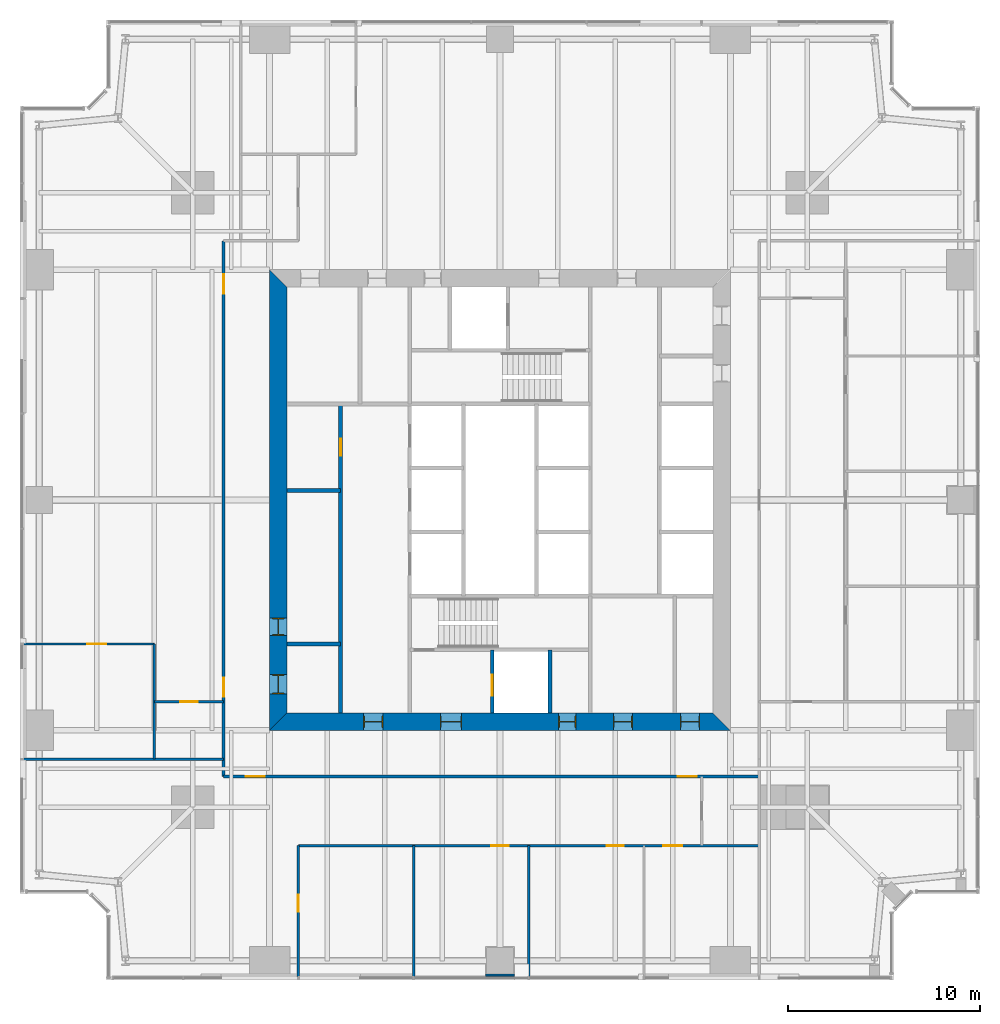
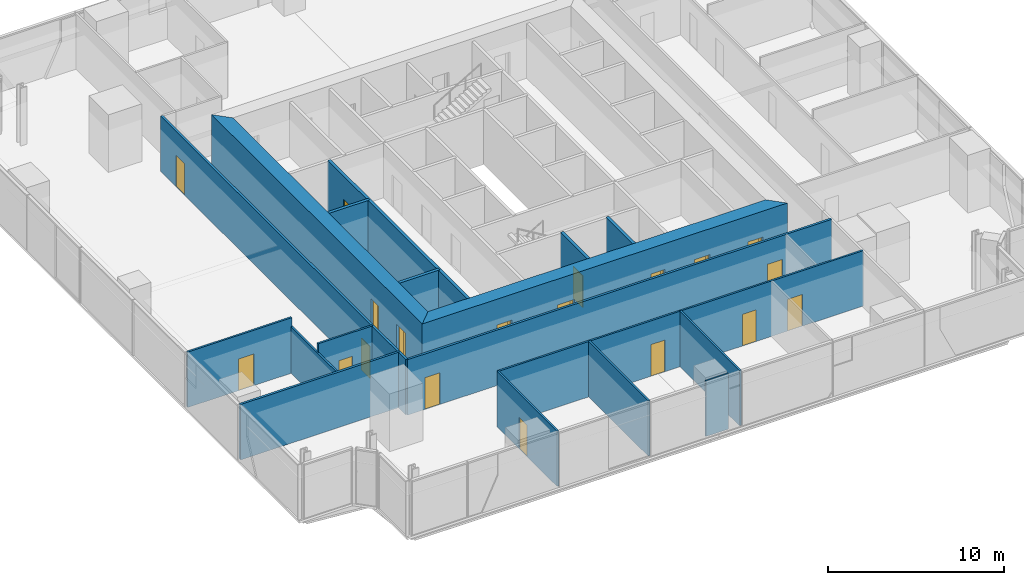
# One storey, part 9 of 13: 19 doors, 18 walls, 19 openings.
"""IFC4 building model written with IfcOpenShell, lengths in metres."""

from ifc_helpers import new_model, si_unit, direction, frame, frame_2d, origin, place, context, subcontext, project, spatial, polyline, rectangle, outline, extrude, material, layer, layer_set, type_object, element, fill, save


model = new_model("IFC4")

# Units and contexts
model_context = context("Model", 3, precision=1e-05, world=origin(), true_north=direction((0.0, 1.0)))
body_context = subcontext(model_context, "Body", "Model", "MODEL_VIEW")
ifc_project = project(units=[si_unit("LENGTHUNIT", "METRE"), si_unit("AREAUNIT", "SQUARE_METRE"), si_unit("VOLUMEUNIT", "CUBIC_METRE"), si_unit("PLANEANGLEUNIT", "RADIAN"), si_unit("MASSUNIT", "GRAM", prefix="KILO")], contexts=[model_context])

# Site, building, storey
site_placement = place(None, origin())
site = spatial("IfcSite", under=ifc_project, at=site_placement, CompositionType="ELEMENT")
building_placement = place(site_placement, origin())
building = spatial("IfcBuilding", under=site, at=building_placement, Name="Fenwick Lantern Interchange", CompositionType="ELEMENT")
storey_placement = place(building_placement, frame((0.0, 0.0, 126.39990234375)))
storey = spatial("IfcBuildingStorey", under=building, at=storey_placement, Name="L29", CompositionType="ELEMENT", Elevation=126.39990234375)

# Wall
ifc_material_1 = material(Name="Fire-rated gypsum board encasement on steel studs, 2 hour", Category="steel")
ifc_layer_1 = layer(ifc_material_1, 1.5)
ifc_layer_set_1 = layer_set([ifc_layer_1], Name="COLUMN PIER 1500")
wall_type_1 = type_object("IfcWallType", Name="COLUMN PIER 1500", PredefinedType="PARTITIONING", material=ifc_layer_set_1)
wall_1_placement = place(storey_placement, frame((25.0, 0.199951171875, 0.0), z_axis=(0.0, 0.0, 1.0), x_axis=(0.0, 1.0, 0.0)))
element("IfcWall", 1, at=wall_1_placement, inside=storey, type_object=wall_type_1, Name="L29/W/PIER/CS3", PredefinedType="PARTITIONING", context=body_context, shape_type="SweptSolid", body=[
    extrude(rectangle(XDim=0.10009765625, YDim=1.5, at=frame_2d((0.050048828125, 0.0))), origin(), (0.0, 0.0, 1.0), 3.85009765625),
])

# Wall, opening, door
ifc_material_2 = material(Name="Concrete masonry ASTM C90 Grade N", Category="masonry")
ifc_layer_2 = layer(ifc_material_2, 0.199951171875)
ifc_layer_set_2 = layer_set([ifc_layer_2], Name="Concrete masonry ASTM C90 Grade N")
wall_type_2 = type_object("IfcWallType", Name="CORE PARTITION 200", PredefinedType="PARTITIONING", material=ifc_layer_set_2)
wall_2_placement = place(storey_placement, frame((16.699951171875, 13.89990234375, 0.0), z_axis=(0.0, 0.0, 1.0), x_axis=(0.0, 1.0, 0.0)))
wall_2 = element("IfcWall", 2, at=wall_2_placement, inside=storey, type_object=wall_type_2, Name="L29/W/CORES/a", PredefinedType="PARTITIONING", context=body_context, shape_type="SweptSolid", body=[
    extrude(rectangle(XDim=16.10009765625, YDim=0.199951171875, at=frame_2d((8.050048828125, 0.0))), origin(), (0.0, 0.0, 1.0), 3.800048828125),
])
opening_1_placement = place(wall_2_placement, frame((13.39990234375, 0.0, 0.0)))
opening_1 = element("IfcOpeningElement", 3, at=opening_1_placement, cuts=wall_2, Name="Opening L29-D009", PredefinedType="OPENING", context=body_context, shape_type="SweptSolid", body=[
    extrude(rectangle(XDim=0.89990234375, YDim=2.199951171875, at=frame_2d((0.449951171875, 1.10009765625))), frame((0.0, 0.10986328125, 0.0), z_axis=(0.0, -1.0, 0.0), x_axis=(1.0, 0.0, 0.0)), (0.0, 0.0, 1.0), 0.219970703125),
])
ifc_material_3 = material(Name="Steel door and frame", Category="steel")
door_type_1 = type_object("IfcDoorType", Name="SERVICE DOOR 900 X 2200", OperationType="SINGLE_SWING_LEFT", PredefinedType="DOOR", material=ifc_material_3)
door_1_placement = place(opening_1_placement, origin())
door_1 = element("IfcDoor", 4, at=door_1_placement, inside=storey, type_object=door_type_1, Name="Service door", OperationType="SINGLE_SWING_LEFT", OverallHeight=2.199951171875, OverallWidth=0.89990234375, PredefinedType="DOOR", context=body_context, shape_type="SweptSolid", body=[
    extrude(rectangle(XDim=0.89990234375, YDim=2.199951171875, at=frame_2d((0.449951171875, 1.10009765625))), frame((0.0, 0.02490234375, 0.0), z_axis=(0.0, -1.0, 0.0), x_axis=(1.0, 0.0, 0.0)), (0.0, 0.0, 1.0), 0.050048828125),
])
fill(opening_1, door_1)

wall_3_placement = place(storey_placement, frame((24.60009765625, 13.89990234375, 0.0), z_axis=(0.0, 0.0, 1.0), x_axis=(0.0, 1.0, 0.0)))
wall_3 = element("IfcWall", 5, at=wall_3_placement, inside=storey, type_object=wall_type_2, Name="L29/W/CORES/h1", PredefinedType="PARTITIONING", context=body_context, shape_type="SweptSolid", body=[
    extrude(rectangle(XDim=3.300048828125, YDim=0.199951171875, at=frame_2d((1.64990234375, 0.0))), origin(), (0.0, 0.0, 1.0), 3.800048828125),
])
opening_2_placement = place(wall_3_placement, frame((0.89990234375, 0.0, 0.0)))
opening_2 = element("IfcOpeningElement", 6, at=opening_2_placement, cuts=wall_3, Name="Opening LD-FL1", PredefinedType="OPENING", context=body_context, shape_type="SweptSolid", body=[
    extrude(rectangle(XDim=1.10009765625, YDim=2.199951171875, at=frame_2d((0.550048828125, 1.10009765625))), frame((0.0, 0.10986328125, 0.0), z_axis=(0.0, -1.0, 0.0), x_axis=(1.0, 0.0, 0.0)), (0.0, 0.0, 1.0), 0.219970703125),
])
door_type_2 = type_object("IfcDoorType", Name="LIFT LANDING DOOR 1100 X 2200", OperationType="DOUBLE_DOOR_SLIDING", PredefinedType="DOOR", material=ifc_material_3)
door_2_placement = place(opening_2_placement, origin())
door_2 = element("IfcDoor", 7, at=door_2_placement, inside=storey, type_object=door_type_2, Name="Lift landing door FL1", OperationType="DOUBLE_DOOR_SLIDING", OverallHeight=2.199951171875, OverallWidth=1.10009765625, PredefinedType="DOOR", context=body_context, shape_type="SweptSolid", body=[
    extrude(rectangle(XDim=1.10009765625, YDim=2.199951171875, at=frame_2d((0.550048828125, 1.10009765625))), frame((0.0, 0.02490234375, 0.0), z_axis=(0.0, -1.0, 0.0), x_axis=(1.0, 0.0, 0.0)), (0.0, 0.0, 1.0), 0.050048828125),
])
fill(opening_2, door_2)

# Walls
wall_4_placement = place(storey_placement, frame((27.60009765625, 13.89990234375, 0.0), z_axis=(0.0, 0.0, 1.0), x_axis=(0.0, 1.0, 0.0)))
element("IfcWall", 8, at=wall_4_placement, inside=storey, type_object=wall_type_2, Name="L29/W/CORES/h2", PredefinedType="PARTITIONING", context=body_context, shape_type="SweptSolid", body=[
    extrude(rectangle(XDim=3.300048828125, YDim=0.199951171875, at=frame_2d((1.64990234375, 0.0))), origin(), (0.0, 0.0, 1.0), 3.800048828125),
])
for number, where, z_axis, x_axis, name in (
    (9, (13.89990234375, 17.5, 0.0), (0.0, 0.0, 1.0), (1.0, 0.0, 0.0), "L29/W/CORES/p1"),
    (10, (13.89990234375, 25.5, 0.0), (0.0, 0.0, 1.0), (1.0, 0.0, 0.0), "L29/W/CORES/p2"),
):
    element("IfcWall", number, at=place(storey_placement, frame(where, z_axis=z_axis, x_axis=x_axis)), inside=storey, type_object=wall_type_2, Name=name, PredefinedType="PARTITIONING", context=body_context, shape_type="SweptSolid", body=[
        extrude(rectangle(XDim=2.800048828125, YDim=0.199951171875, at=frame_2d((1.39990234375, 0.0))), origin(), (0.0, 0.0, 1.0), 3.800048828125),
    ])

# Wall, openings, doors
ifc_material_4 = material(Name="Concrete f'c 70 MPa", Category="concrete")
ifc_layer_3 = layer(ifc_material_4, 0.89990234375)
ifc_layer_set_3 = layer_set([ifc_layer_3], Name="CORE WALL 900")
wall_type_3 = type_object("IfcWallType", Name="CORE WALL 900", PredefinedType="SHEAR", material=ifc_layer_set_3)
wall_5_placement = place(storey_placement, frame((13.0, 13.449951171875, 0.0), z_axis=(0.0, 0.0, 1.0), x_axis=(1.0, 0.0, 0.0)))
wall_5 = element("IfcWall", 11, at=wall_5_placement, inside=storey, type_object=wall_type_3, Name="L29/CORE/S", PredefinedType="SHEAR", context=body_context, shape_type="SweptSolid", body=[
    extrude(outline(polyline([(0.0, -0.449951171875), (24.0, -0.449951171875), (23.10009765625, 0.449951171875), (0.89990234375, 0.449951171875), (0.0, -0.449951171875)])), origin(), (0.0, 0.0, 1.0), 4.0),
])
opening_3_placement = place(wall_5_placement, frame((4.89990234375, 0.0, 0.0)))
opening_3 = element("IfcOpeningElement", 12, at=opening_3_placement, cuts=wall_5, Name="Opening L29-D001", PredefinedType="OPENING", context=body_context, shape_type="SweptSolid", body=[
    extrude(rectangle(XDim=1.0, YDim=2.199951171875, at=frame_2d((0.5, 1.10009765625))), frame((0.0, 0.4599609375, 0.0), z_axis=(0.0, -1.0, 0.0), x_axis=(1.0, 0.0, 0.0)), (0.0, 0.0, 1.0), 0.919921875),
])
opening_4_placement = place(wall_5_placement, frame((8.89990234375, 0.0, 0.0)))
opening_4 = element("IfcOpeningElement", 13, at=opening_4_placement, cuts=wall_5, Name="Opening L29-D002", PredefinedType="OPENING", context=body_context, shape_type="SweptSolid", body=[
    extrude(rectangle(XDim=1.10009765625, YDim=2.199951171875, at=frame_2d((0.550048828125, 1.10009765625))), frame((0.0, 0.4599609375, 0.0), z_axis=(0.0, -1.0, 0.0), x_axis=(1.0, 0.0, 0.0)), (0.0, 0.0, 1.0), 0.919921875),
])
opening_5_placement = place(wall_5_placement, frame((15.050048828125, 0.0, 0.0)))
opening_5 = element("IfcOpeningElement", 14, at=opening_5_placement, cuts=wall_5, Name="Opening L29-D004", PredefinedType="OPENING", context=body_context, shape_type="SweptSolid", body=[
    extrude(rectangle(XDim=0.89990234375, YDim=2.199951171875, at=frame_2d((0.449951171875, 1.10009765625))), frame((0.0, 0.4599609375, 0.0), z_axis=(0.0, -1.0, 0.0), x_axis=(1.0, 0.0, 0.0)), (0.0, 0.0, 1.0), 0.919921875),
])
opening_6_placement = place(wall_5_placement, frame((17.89990234375, 0.0, 0.0)))
opening_6 = element("IfcOpeningElement", 15, at=opening_6_placement, cuts=wall_5, Name="Opening L29-D005", PredefinedType="OPENING", context=body_context, shape_type="SweptSolid", body=[
    extrude(rectangle(XDim=1.0, YDim=2.199951171875, at=frame_2d((0.5, 1.10009765625))), frame((0.0, 0.4599609375, 0.0), z_axis=(0.0, -1.0, 0.0), x_axis=(1.0, 0.0, 0.0)), (0.0, 0.0, 1.0), 0.919921875),
])
opening_7_placement = place(wall_5_placement, frame((21.39990234375, 0.0, 0.0)))
opening_7 = element("IfcOpeningElement", 16, at=opening_7_placement, cuts=wall_5, Name="Opening L29-D006", PredefinedType="OPENING", context=body_context, shape_type="SweptSolid", body=[
    extrude(rectangle(XDim=1.0, YDim=2.199951171875, at=frame_2d((0.5, 1.10009765625))), frame((0.0, 0.4599609375, 0.0), z_axis=(0.0, -1.0, 0.0), x_axis=(1.0, 0.0, 0.0)), (0.0, 0.0, 1.0), 0.919921875),
])
door_type_3 = type_object("IfcDoorType", Name="CORE LOBBY DOOR 1000 X 2200", OperationType="SINGLE_SWING_LEFT", PredefinedType="DOOR", material=ifc_material_3)
door_3_placement = place(opening_3_placement, origin())
door_3 = element("IfcDoor", 17, at=door_3_placement, inside=storey, type_object=door_type_3, Name="Core lobby door", OperationType="SINGLE_SWING_LEFT", OverallHeight=2.199951171875, OverallWidth=1.0, PredefinedType="DOOR", context=body_context, shape_type="SweptSolid", body=[
    extrude(rectangle(XDim=1.0, YDim=2.199951171875, at=frame_2d((0.5, 1.10009765625))), frame((0.0, 0.02490234375, 0.0), z_axis=(0.0, -1.0, 0.0), x_axis=(1.0, 0.0, 0.0)), (0.0, 0.0, 1.0), 0.050048828125),
    extrude(outline(polyline([(0.0, 0.0), (0.0400390625, 0.0), (0.0400390625, 2.159912109375), (0.9599609375, 2.159912109375), (0.9599609375, 0.0), (1.0, 0.0), (1.0, 2.199951171875), (0.0, 2.199951171875), (0.0, 0.0)])), frame((0.0, 0.300048828125, 0.0), z_axis=(0.0, -1.0, 0.0), x_axis=(1.0, 0.0, 0.0)), (0.0, 0.0, 1.0), 0.60009765625),
])
fill(opening_3, door_3)
door_type_4 = type_object("IfcDoorType", Name="FIRE LOBBY DOOR 1100 X 2200", OperationType="SINGLE_SWING_LEFT", PredefinedType="DOOR", material=ifc_material_3)
door_4_placement = place(opening_4_placement, origin())
door_4 = element("IfcDoor", 18, at=door_4_placement, inside=storey, type_object=door_type_4, Name="Fire lobby door", OperationType="SINGLE_SWING_LEFT", OverallHeight=2.199951171875, OverallWidth=1.10009765625, PredefinedType="DOOR", context=body_context, shape_type="SweptSolid", body=[
    extrude(rectangle(XDim=1.10009765625, YDim=2.199951171875, at=frame_2d((0.550048828125, 1.10009765625))), frame((0.0, 0.02490234375, 0.0), z_axis=(0.0, -1.0, 0.0), x_axis=(1.0, 0.0, 0.0)), (0.0, 0.0, 1.0), 0.050048828125),
    extrude(outline(polyline([(0.0, 0.0), (0.0400390625, 0.0), (0.0400390625, 2.159912109375), (1.06005859375, 2.159912109375), (1.06005859375, 0.0), (1.10009765625, 0.0), (1.10009765625, 2.199951171875), (0.0, 2.199951171875), (0.0, 0.0)])), frame((0.0, 0.300048828125, 0.0), z_axis=(0.0, -1.0, 0.0), x_axis=(1.0, 0.0, 0.0)), (0.0, 0.0, 1.0), 0.60009765625),
])
fill(opening_4, door_4)
door_5_placement = place(opening_5_placement, origin())
door_5 = element("IfcDoor", 19, at=door_5_placement, inside=storey, type_object=door_type_1, Name="Service door", OperationType="SINGLE_SWING_LEFT", OverallHeight=2.199951171875, OverallWidth=0.89990234375, PredefinedType="DOOR", context=body_context, shape_type="SweptSolid", body=[
    extrude(rectangle(XDim=0.89990234375, YDim=2.199951171875, at=frame_2d((0.449951171875, 1.10009765625))), frame((0.0, 0.02490234375, 0.0), z_axis=(0.0, -1.0, 0.0), x_axis=(1.0, 0.0, 0.0)), (0.0, 0.0, 1.0), 0.050048828125),
    extrude(outline(polyline([(0.0, 0.0), (0.0400390625, 0.0), (0.0400390625, 2.159912109375), (0.85986328125, 2.159912109375), (0.85986328125, 0.0), (0.89990234375, 0.0), (0.89990234375, 2.199951171875), (0.0, 2.199951171875), (0.0, 0.0)])), frame((0.0, 0.300048828125, 0.0), z_axis=(0.0, -1.0, 0.0), x_axis=(1.0, 0.0, 0.0)), (0.0, 0.0, 1.0), 0.60009765625),
])
fill(opening_5, door_5)
ifc_material_5 = material(Name="Hardwood door and steel frame", Category="steel")
door_type_5 = type_object("IfcDoorType", Name="WC DOOR 1000 X 2200", OperationType="SINGLE_SWING_LEFT", PredefinedType="DOOR", material=ifc_material_5)
door_6_placement = place(opening_6_placement, origin())
door_6 = element("IfcDoor", 20, at=door_6_placement, inside=storey, type_object=door_type_5, Name="Wc door", OperationType="SINGLE_SWING_LEFT", OverallHeight=2.199951171875, OverallWidth=1.0, PredefinedType="DOOR", context=body_context, shape_type="SweptSolid", body=[
    extrude(rectangle(XDim=1.0, YDim=2.199951171875, at=frame_2d((0.5, 1.10009765625))), frame((0.0, 0.02490234375, 0.0), z_axis=(0.0, -1.0, 0.0), x_axis=(1.0, 0.0, 0.0)), (0.0, 0.0, 1.0), 0.050048828125),
    extrude(outline(polyline([(0.0, 0.0), (0.0400390625, 0.0), (0.0400390625, 2.159912109375), (0.9599609375, 2.159912109375), (0.9599609375, 0.0), (1.0, 0.0), (1.0, 2.199951171875), (0.0, 2.199951171875), (0.0, 0.0)])), frame((0.0, 0.300048828125, 0.0), z_axis=(0.0, -1.0, 0.0), x_axis=(1.0, 0.0, 0.0)), (0.0, 0.0, 1.0), 0.60009765625),
])
fill(opening_6, door_6)
door_7_placement = place(opening_7_placement, origin())
door_7 = element("IfcDoor", 21, at=door_7_placement, inside=storey, type_object=door_type_5, Name="Wc door", OperationType="SINGLE_SWING_LEFT", OverallHeight=2.199951171875, OverallWidth=1.0, PredefinedType="DOOR", context=body_context, shape_type="SweptSolid", body=[
    extrude(rectangle(XDim=1.0, YDim=2.199951171875, at=frame_2d((0.5, 1.10009765625))), frame((0.0, 0.02490234375, 0.0), z_axis=(0.0, -1.0, 0.0), x_axis=(1.0, 0.0, 0.0)), (0.0, 0.0, 1.0), 0.050048828125),
    extrude(outline(polyline([(0.0, 0.0), (0.0400390625, 0.0), (0.0400390625, 2.159912109375), (0.9599609375, 2.159912109375), (0.9599609375, 0.0), (1.0, 0.0), (1.0, 2.199951171875), (0.0, 2.199951171875), (0.0, 0.0)])), frame((0.0, 0.300048828125, 0.0), z_axis=(0.0, -1.0, 0.0), x_axis=(1.0, 0.0, 0.0)), (0.0, 0.0, 1.0), 0.60009765625),
])
fill(opening_7, door_7)

wall_6_placement = place(storey_placement, frame((13.449951171875, 36.10009765625, 0.0), z_axis=(0.0, 0.0, 1.0), x_axis=(0.0, -1.0, 0.0)))
wall_6 = element("IfcWall", 22, at=wall_6_placement, inside=storey, type_object=wall_type_3, Name="L29/CORE/W", PredefinedType="SHEAR", context=body_context, shape_type="SweptSolid", body=[
    extrude(outline(polyline([(-0.89990234375, -0.449951171875), (23.10009765625, -0.449951171875), (22.199951171875, 0.449951171875), (0.0, 0.449951171875), (-0.89990234375, -0.449951171875)])), origin(), (0.0, 0.0, 1.0), 4.0),
])
opening_8_placement = place(wall_6_placement, frame((20.199951171875, 0.0, 0.0)))
opening_8 = element("IfcOpeningElement", 23, at=opening_8_placement, cuts=wall_6, Name="Opening L29-D007", PredefinedType="OPENING", context=body_context, shape_type="SweptSolid", body=[
    extrude(rectangle(XDim=1.0, YDim=2.199951171875, at=frame_2d((0.5, 1.10009765625))), frame((0.0, 0.4599609375, 0.0), z_axis=(0.0, -1.0, 0.0), x_axis=(1.0, 0.0, 0.0)), (0.0, 0.0, 1.0), 0.919921875),
])
opening_9_placement = place(wall_6_placement, frame((17.25, 0.0, 0.0)))
opening_9 = element("IfcOpeningElement", 24, at=opening_9_placement, cuts=wall_6, Name="Opening L29-D008", PredefinedType="OPENING", context=body_context, shape_type="SweptSolid", body=[
    extrude(rectangle(XDim=0.89990234375, YDim=2.199951171875, at=frame_2d((0.449951171875, 1.10009765625))), frame((0.0, 0.4599609375, 0.0), z_axis=(0.0, -1.0, 0.0), x_axis=(1.0, 0.0, 0.0)), (0.0, 0.0, 1.0), 0.919921875),
])
door_8_placement = place(opening_9_placement, origin())
door_8 = element("IfcDoor", 25, at=door_8_placement, inside=storey, type_object=door_type_1, Name="Service door", OperationType="SINGLE_SWING_RIGHT", OverallHeight=2.199951171875, OverallWidth=0.89990234375, PredefinedType="DOOR", context=body_context, shape_type="SweptSolid", body=[
    extrude(rectangle(XDim=0.89990234375, YDim=2.199951171875, at=frame_2d((0.449951171875, 1.10009765625))), frame((0.0, 0.02490234375, 0.0), z_axis=(0.0, -1.0, 0.0), x_axis=(1.0, 0.0, 0.0)), (0.0, 0.0, 1.0), 0.050048828125),
    extrude(outline(polyline([(0.0, 0.0), (0.0400390625, 0.0), (0.0400390625, 2.159912109375), (0.85986328125, 2.159912109375), (0.85986328125, 0.0), (0.89990234375, 0.0), (0.89990234375, 2.199951171875), (0.0, 2.199951171875), (0.0, 0.0)])), frame((0.0, 0.300048828125, 0.0), z_axis=(0.0, -1.0, 0.0), x_axis=(1.0, 0.0, 0.0)), (0.0, 0.0, 1.0), 0.60009765625),
])
fill(opening_9, door_8)
door_9_placement = place(opening_8_placement, origin())
door_9 = element("IfcDoor", 26, at=door_9_placement, inside=storey, type_object=door_type_5, Name="Wc door", OperationType="SINGLE_SWING_RIGHT", OverallHeight=2.199951171875, OverallWidth=1.0, PredefinedType="DOOR", context=body_context, shape_type="SweptSolid", body=[
    extrude(rectangle(XDim=1.0, YDim=2.199951171875, at=frame_2d((0.5, 1.10009765625))), frame((0.0, 0.02490234375, 0.0), z_axis=(0.0, -1.0, 0.0), x_axis=(1.0, 0.0, 0.0)), (0.0, 0.0, 1.0), 0.050048828125),
    extrude(outline(polyline([(0.0, 0.0), (0.0400390625, 0.0), (0.0400390625, 2.159912109375), (0.9599609375, 2.159912109375), (0.9599609375, 0.0), (1.0, 0.0), (1.0, 2.199951171875), (0.0, 2.199951171875), (0.0, 0.0)])), frame((0.0, 0.300048828125, 0.0), z_axis=(0.0, -1.0, 0.0), x_axis=(1.0, 0.0, 0.0)), (0.0, 0.0, 1.0), 0.60009765625),
])
fill(opening_8, door_9)

ifc_material_6 = material(Name="Gypsum board on steel studs, 1 hour", Category="steel")
ifc_layer_4 = layer(ifc_material_6, 0.14990234375)
ifc_layer_set_4 = layer_set([ifc_layer_4], Name="CORRIDOR WALL 150")
wall_type_4 = type_object("IfcWallType", Name="CORRIDOR WALL 150", PredefinedType="PARTITIONING", material=ifc_layer_set_4)
wall_7_placement = place(storey_placement, frame((10.60009765625, 10.60009765625, 0.0), z_axis=(0.0, 0.0, 1.0), x_axis=(1.0, 0.0, 0.0)))
wall_7 = element("IfcWall", 27, at=wall_7_placement, inside=storey, type_object=wall_type_4, Name="L29/W/OFF/S/CW2", PredefinedType="PARTITIONING", context=body_context, shape_type="SweptSolid", body=[
    extrude(rectangle(XDim=27.89990234375, YDim=0.14990234375, at=frame_2d((13.949951171875, 0.0))), origin(), (0.0, 0.0, 1.0), 3.85009765625),
])
opening_10_placement = place(wall_7_placement, frame((1.14990234375, 0.0, 0.0)))
opening_10 = element("IfcOpeningElement", 28, at=opening_10_placement, cuts=wall_7, Name="Opening L29-D018", PredefinedType="OPENING", context=body_context, shape_type="SweptSolid", body=[
    extrude(rectangle(XDim=1.0, YDim=2.199951171875, at=frame_2d((0.5, 1.10009765625))), frame((0.0, 0.0849609375, 0.0), z_axis=(0.0, -1.0, 0.0), x_axis=(1.0, 0.0, 0.0)), (0.0, 0.0, 1.0), 0.169921875),
])
opening_11_placement = place(wall_7_placement, frame((23.64990234375, 0.0, 0.0)))
opening_11 = element("IfcOpeningElement", 29, at=opening_11_placement, cuts=wall_7, Name="Opening L29-D019", PredefinedType="OPENING", context=body_context, shape_type="SweptSolid", body=[
    extrude(rectangle(XDim=1.0, YDim=2.199951171875, at=frame_2d((0.5, 1.10009765625))), frame((0.0, 0.0849609375, 0.0), z_axis=(0.0, -1.0, 0.0), x_axis=(1.0, 0.0, 0.0)), (0.0, 0.0, 1.0), 0.169921875),
])
door_type_6 = type_object("IfcDoorType", Name="SUITE ENTRANCE DOOR 1000 X 2200", OperationType="SINGLE_SWING_LEFT", PredefinedType="DOOR", material=ifc_material_3)
door_10_placement = place(opening_10_placement, origin())
door_10 = element("IfcDoor", 30, at=door_10_placement, inside=storey, type_object=door_type_6, Name="Suite entrance door", OperationType="SINGLE_SWING_LEFT", OverallHeight=2.199951171875, OverallWidth=1.0, PredefinedType="DOOR", context=body_context, shape_type="SweptSolid", body=[
    extrude(rectangle(XDim=1.0, YDim=2.199951171875, at=frame_2d((0.5, 1.10009765625))), frame((0.0, 0.02490234375, 0.0), z_axis=(0.0, -1.0, 0.0), x_axis=(1.0, 0.0, 0.0)), (0.0, 0.0, 1.0), 0.050048828125),
])
fill(opening_10, door_10)
door_11_placement = place(opening_11_placement, origin())
door_11 = element("IfcDoor", 31, at=door_11_placement, inside=storey, type_object=door_type_6, Name="Suite entrance door", OperationType="SINGLE_SWING_RIGHT", OverallHeight=2.199951171875, OverallWidth=1.0, PredefinedType="DOOR", context=body_context, shape_type="SweptSolid", body=[
    extrude(rectangle(XDim=1.0, YDim=2.199951171875, at=frame_2d((0.5, 1.10009765625))), frame((0.0, 0.02490234375, 0.0), z_axis=(0.0, -1.0, 0.0), x_axis=(1.0, 0.0, 0.0)), (0.0, 0.0, 1.0), 0.050048828125),
])
fill(opening_11, door_11)

wall_8_placement = place(storey_placement, frame((10.60009765625, 38.5, 0.0), z_axis=(0.0, 0.0, 1.0), x_axis=(0.0, -1.0, 0.0)))
wall_8 = element("IfcWall", 32, at=wall_8_placement, inside=storey, type_object=wall_type_4, Name="L29/W/OFF/W/CW2", PredefinedType="PARTITIONING", context=body_context, shape_type="SweptSolid", body=[
    extrude(rectangle(XDim=27.89990234375, YDim=0.14990234375, at=frame_2d((13.949951171875, 0.0))), origin(), (0.0, 0.0, 1.0), 3.85009765625),
])
opening_12_placement = place(wall_8_placement, frame((1.75, 0.0, 0.0)))
opening_12 = element("IfcOpeningElement", 33, at=opening_12_placement, cuts=wall_8, Name="Opening L29-D034", PredefinedType="OPENING", context=body_context, shape_type="SweptSolid", body=[
    extrude(rectangle(XDim=1.0, YDim=2.199951171875, at=frame_2d((0.5, 1.10009765625))), frame((0.0, 0.0849609375, 0.0), z_axis=(0.0, -1.0, 0.0), x_axis=(1.0, 0.0, 0.0)), (0.0, 0.0, 1.0), 0.169921875),
])
opening_13_placement = place(wall_8_placement, frame((22.75, 0.0, 0.0)))
opening_13 = element("IfcOpeningElement", 34, at=opening_13_placement, cuts=wall_8, Name="Opening L29-D035", PredefinedType="OPENING", context=body_context, shape_type="SweptSolid", body=[
    extrude(rectangle(XDim=1.0, YDim=2.199951171875, at=frame_2d((0.5, 1.10009765625))), frame((0.0, 0.0849609375, 0.0), z_axis=(0.0, -1.0, 0.0), x_axis=(1.0, 0.0, 0.0)), (0.0, 0.0, 1.0), 0.169921875),
])
door_12_placement = place(opening_12_placement, origin())
door_12 = element("IfcDoor", 35, at=door_12_placement, inside=storey, type_object=door_type_6, Name="Suite entrance door", OperationType="SINGLE_SWING_LEFT", OverallHeight=2.199951171875, OverallWidth=1.0, PredefinedType="DOOR", context=body_context, shape_type="SweptSolid", body=[
    extrude(rectangle(XDim=1.0, YDim=2.199951171875, at=frame_2d((0.5, 1.10009765625))), frame((0.0, 0.02490234375, 0.0), z_axis=(0.0, -1.0, 0.0), x_axis=(1.0, 0.0, 0.0)), (0.0, 0.0, 1.0), 0.050048828125),
])
fill(opening_12, door_12)
door_13_placement = place(opening_13_placement, origin())
door_13 = element("IfcDoor", 36, at=door_13_placement, inside=storey, type_object=door_type_6, Name="Suite entrance door", OperationType="SINGLE_SWING_RIGHT", OverallHeight=2.199951171875, OverallWidth=1.0, PredefinedType="DOOR", context=body_context, shape_type="SweptSolid", body=[
    extrude(rectangle(XDim=1.0, YDim=2.199951171875, at=frame_2d((0.5, 1.10009765625))), frame((0.0, 0.02490234375, 0.0), z_axis=(0.0, -1.0, 0.0), x_axis=(1.0, 0.0, 0.0)), (0.0, 0.0, 1.0), 0.050048828125),
])
fill(opening_13, door_13)

# Wall, opening, door
ifc_material_7 = material(Name="Gypsum board on steel studs, acoustic", Category="steel")
ifc_layer_5 = layer(ifc_material_7, 0.125)
ifc_layer_set_5 = layer_set([ifc_layer_5], Name="OFFICE PARTITION 125")
wall_type_5 = type_object("IfcWallType", Name="OFFICE PARTITION 125", PredefinedType="PARTITIONING", material=ifc_layer_set_5)
wall_9_placement = place(storey_placement, frame((14.5, 0.14990234375, 0.0), z_axis=(0.0, 0.0, 1.0), x_axis=(0.0, 1.0, 0.0)))
wall_9 = element("IfcWall", 37, at=wall_9_placement, inside=storey, type_object=wall_type_5, Name="L29/W/OFF/S/X145-1", PredefinedType="PARTITIONING", context=body_context, shape_type="SweptSolid", body=[
    extrude(rectangle(XDim=6.85009765625, YDim=0.125, at=frame_2d((3.425048828125, 0.0))), origin(), (0.0, 0.0, 1.0), 3.85009765625),
])
opening_14_placement = place(wall_9_placement, frame((3.39990234375, 0.0, 0.0)))
opening_14 = element("IfcOpeningElement", 38, at=opening_14_placement, cuts=wall_9, Name="Opening L29-D020", PredefinedType="OPENING", context=body_context, shape_type="SweptSolid", body=[
    extrude(rectangle(XDim=0.89990234375, YDim=2.199951171875, at=frame_2d((0.449951171875, 1.10009765625))), frame((0.0, 0.072509765625, 0.0), z_axis=(0.0, -1.0, 0.0), x_axis=(1.0, 0.0, 0.0)), (0.0, 0.0, 1.0), 0.14501953125),
])
door_type_7 = type_object("IfcDoorType", Name="OFFICE DOOR 900 X 2200", OperationType="SINGLE_SWING_LEFT", PredefinedType="DOOR", material=ifc_material_5)
door_14_placement = place(opening_14_placement, frame((0.89990234375, 0.0, 0.0), z_axis=(0.0, 0.0, 1.0), x_axis=(-1.0, 0.0, 0.0)))
door_14 = element("IfcDoor", 39, at=door_14_placement, inside=storey, type_object=door_type_7, Name="Office door", OperationType="SINGLE_SWING_LEFT", OverallHeight=2.199951171875, OverallWidth=0.89990234375, PredefinedType="DOOR", context=body_context, shape_type="SweptSolid", body=[
    extrude(rectangle(XDim=0.89990234375, YDim=2.199951171875, at=frame_2d((0.449951171875, 1.10009765625))), frame((0.0, 0.02490234375, 0.0), z_axis=(0.0, -1.0, 0.0), x_axis=(1.0, 0.0, 0.0)), (0.0, 0.0, 1.0), 0.050048828125),
])
fill(opening_14, door_14)

# Walls
for number, where, z_axis, x_axis, name in (
    (40, (20.5, 0.14990234375, 0.0), (0.0, 0.0, 1.0), (0.0, 1.0, 0.0), "L29/W/OFF/S/X205-1"),
    (41, (26.5, 0.14990234375, 0.0), (0.0, 0.0, 1.0), (0.0, 1.0, 0.0), "L29/W/OFF/S/X265-1"),
):
    element("IfcWall", number, at=place(storey_placement, frame(where, z_axis=z_axis, x_axis=x_axis)), inside=storey, type_object=wall_type_5, Name=name, PredefinedType="PARTITIONING", context=body_context, shape_type="SweptSolid", body=[
        extrude(rectangle(XDim=6.85009765625, YDim=0.125, at=frame_2d((3.425048828125, 0.0))), origin(), (0.0, 0.0, 1.0), 3.85009765625),
    ])

# Wall, openings, doors
wall_10_placement = place(storey_placement, frame((14.5, 7.0, 0.0), z_axis=(0.0, 0.0, 1.0), x_axis=(1.0, 0.0, 0.0)))
wall_10 = element("IfcWall", 42, at=wall_10_placement, inside=storey, type_object=wall_type_5, Name="L29/W/OFF/S/Y70-1", PredefinedType="PARTITIONING", context=body_context, shape_type="SweptSolid", body=[
    extrude(rectangle(XDim=24.0, YDim=0.125, at=frame_2d((12.0, 0.0))), origin(), (0.0, 0.0, 1.0), 3.85009765625),
])
opening_15_placement = place(wall_10_placement, frame((10.050048828125, 0.0, 0.0)))
opening_15 = element("IfcOpeningElement", 43, at=opening_15_placement, cuts=wall_10, Name="Opening L29-D021", PredefinedType="OPENING", context=body_context, shape_type="SweptSolid", body=[
    extrude(rectangle(XDim=0.89990234375, YDim=2.199951171875, at=frame_2d((0.449951171875, 1.10009765625))), frame((0.0, 0.072509765625, 0.0), z_axis=(0.0, -1.0, 0.0), x_axis=(1.0, 0.0, 0.0)), (0.0, 0.0, 1.0), 0.14501953125),
])
opening_16_placement = place(wall_10_placement, frame((16.050048828125, 0.0, 0.0)))
opening_16 = element("IfcOpeningElement", 44, at=opening_16_placement, cuts=wall_10, Name="Opening L29-D022", PredefinedType="OPENING", context=body_context, shape_type="SweptSolid", body=[
    extrude(rectangle(XDim=0.89990234375, YDim=2.199951171875, at=frame_2d((0.449951171875, 1.10009765625))), frame((0.0, 0.072509765625, 0.0), z_axis=(0.0, -1.0, 0.0), x_axis=(1.0, 0.0, 0.0)), (0.0, 0.0, 1.0), 0.14501953125),
])
opening_17_placement = place(wall_10_placement, frame((19.0, 0.0, 0.0)))
opening_17 = element("IfcOpeningElement", 45, at=opening_17_placement, cuts=wall_10, Name="Opening L29-D023", PredefinedType="OPENING", context=body_context, shape_type="SweptSolid", body=[
    extrude(rectangle(XDim=1.0, YDim=2.199951171875, at=frame_2d((0.5, 1.10009765625))), frame((0.0, 0.072509765625, 0.0), z_axis=(0.0, -1.0, 0.0), x_axis=(1.0, 0.0, 0.0)), (0.0, 0.0, 1.0), 0.14501953125),
])
door_type_8 = type_object("IfcDoorType", Name="MEETING ROOM DOOR 1000 X 2200", OperationType="SINGLE_SWING_LEFT", PredefinedType="DOOR", material=ifc_material_5)
door_15_placement = place(opening_17_placement, frame((1.0, 0.0, 0.0), z_axis=(0.0, 0.0, 1.0), x_axis=(-1.0, 0.0, 0.0)))
door_15 = element("IfcDoor", 46, at=door_15_placement, inside=storey, type_object=door_type_8, Name="Meeting room door", OperationType="SINGLE_SWING_RIGHT", OverallHeight=2.199951171875, OverallWidth=1.0, PredefinedType="DOOR", context=body_context, shape_type="SweptSolid", body=[
    extrude(rectangle(XDim=1.0, YDim=2.199951171875, at=frame_2d((0.5, 1.10009765625))), frame((0.0, 0.02490234375, 0.0), z_axis=(0.0, -1.0, 0.0), x_axis=(1.0, 0.0, 0.0)), (0.0, 0.0, 1.0), 0.050048828125),
])
fill(opening_17, door_15)
door_16_placement = place(opening_15_placement, frame((0.89990234375, 0.0, 0.0), z_axis=(0.0, 0.0, 1.0), x_axis=(-1.0, 0.0, 0.0)))
door_16 = element("IfcDoor", 47, at=door_16_placement, inside=storey, type_object=door_type_7, Name="Office door", OperationType="SINGLE_SWING_LEFT", OverallHeight=2.199951171875, OverallWidth=0.89990234375, PredefinedType="DOOR", context=body_context, shape_type="SweptSolid", body=[
    extrude(rectangle(XDim=0.89990234375, YDim=2.199951171875, at=frame_2d((0.449951171875, 1.10009765625))), frame((0.0, 0.02490234375, 0.0), z_axis=(0.0, -1.0, 0.0), x_axis=(1.0, 0.0, 0.0)), (0.0, 0.0, 1.0), 0.050048828125),
])
fill(opening_15, door_16)
door_17_placement = place(opening_16_placement, frame((0.89990234375, 0.0, 0.0), z_axis=(0.0, 0.0, 1.0), x_axis=(-1.0, 0.0, 0.0)))
door_17 = element("IfcDoor", 48, at=door_17_placement, inside=storey, type_object=door_type_7, Name="Office door", OperationType="SINGLE_SWING_LEFT", OverallHeight=2.199951171875, OverallWidth=0.89990234375, PredefinedType="DOOR", context=body_context, shape_type="SweptSolid", body=[
    extrude(rectangle(XDim=0.89990234375, YDim=2.199951171875, at=frame_2d((0.449951171875, 1.10009765625))), frame((0.0, 0.02490234375, 0.0), z_axis=(0.0, -1.0, 0.0), x_axis=(1.0, 0.0, 0.0)), (0.0, 0.0, 1.0), 0.050048828125),
])
fill(opening_16, door_17)

# Wall, opening, door
wall_11_placement = place(storey_placement, frame((0.14990234375, 17.5, 0.0), z_axis=(0.0, 0.0, 1.0), x_axis=(1.0, 0.0, 0.0)))
wall_11 = element("IfcWall", 49, at=wall_11_placement, inside=storey, type_object=wall_type_5, Name="L29/W/OFF/W/X325-1", PredefinedType="PARTITIONING", context=body_context, shape_type="SweptSolid", body=[
    extrude(rectangle(XDim=6.85009765625, YDim=0.125, at=frame_2d((3.425048828125, 0.0))), origin(), (0.0, 0.0, 1.0), 3.85009765625),
])
opening_18_placement = place(wall_11_placement, frame((3.35009765625, 0.0, 0.0)))
opening_18 = element("IfcOpeningElement", 50, at=opening_18_placement, cuts=wall_11, Name="Opening L29-D036", PredefinedType="OPENING", context=body_context, shape_type="SweptSolid", body=[
    extrude(rectangle(XDim=1.0, YDim=2.199951171875, at=frame_2d((0.5, 1.10009765625))), frame((0.0, 0.072509765625, 0.0), z_axis=(0.0, -1.0, 0.0), x_axis=(1.0, 0.0, 0.0)), (0.0, 0.0, 1.0), 0.14501953125),
])
door_18_placement = place(opening_18_placement, frame((1.0, 0.0, 0.0), z_axis=(0.0, 0.0, 1.0), x_axis=(-1.0, 0.0, 0.0)))
door_18 = element("IfcDoor", 51, at=door_18_placement, inside=storey, type_object=door_type_8, Name="Meeting room door", OperationType="SINGLE_SWING_LEFT", OverallHeight=2.199951171875, OverallWidth=1.0, PredefinedType="DOOR", context=body_context, shape_type="SweptSolid", body=[
    extrude(rectangle(XDim=1.0, YDim=2.199951171875, at=frame_2d((0.5, 1.10009765625))), frame((0.0, 0.02490234375, 0.0), z_axis=(0.0, -1.0, 0.0), x_axis=(1.0, 0.0, 0.0)), (0.0, 0.0, 1.0), 0.050048828125),
])
fill(opening_18, door_18)

wall_12_placement = place(storey_placement, frame((7.0, 14.5, 0.0), z_axis=(0.0, 0.0, 1.0), x_axis=(1.0, 0.0, 0.0)))
wall_12 = element("IfcWall", 52, at=wall_12_placement, inside=storey, type_object=wall_type_5, Name="L29/W/OFF/W/X355-1", PredefinedType="PARTITIONING", context=body_context, shape_type="SweptSolid", body=[
    extrude(rectangle(XDim=3.60009765625, YDim=0.125, at=frame_2d((1.800048828125, 0.0))), origin(), (0.0, 0.0, 1.0), 3.85009765625),
])
opening_19_placement = place(wall_12_placement, frame((1.35009765625, 0.0, 0.0)))
opening_19 = element("IfcOpeningElement", 53, at=opening_19_placement, cuts=wall_12, Name="Opening L29-D037", PredefinedType="OPENING", context=body_context, shape_type="SweptSolid", body=[
    extrude(rectangle(XDim=0.89990234375, YDim=2.199951171875, at=frame_2d((0.449951171875, 1.10009765625))), frame((0.0, 0.072509765625, 0.0), z_axis=(0.0, -1.0, 0.0), x_axis=(1.0, 0.0, 0.0)), (0.0, 0.0, 1.0), 0.14501953125),
])
door_19_placement = place(opening_19_placement, frame((0.89990234375, 0.0, 0.0), z_axis=(0.0, 0.0, 1.0), x_axis=(-1.0, 0.0, 0.0)))
door_19 = element("IfcDoor", 54, at=door_19_placement, inside=storey, type_object=door_type_7, Name="Office door", OperationType="SINGLE_SWING_RIGHT", OverallHeight=2.199951171875, OverallWidth=0.89990234375, PredefinedType="DOOR", context=body_context, shape_type="SweptSolid", body=[
    extrude(rectangle(XDim=0.89990234375, YDim=2.199951171875, at=frame_2d((0.449951171875, 1.10009765625))), frame((0.0, 0.02490234375, 0.0), z_axis=(0.0, -1.0, 0.0), x_axis=(1.0, 0.0, 0.0)), (0.0, 0.0, 1.0), 0.050048828125),
])
fill(opening_19, door_19)

# Walls
wall_13_placement = place(storey_placement, frame((7.0, 17.5, 0.0), z_axis=(0.0, 0.0, 1.0), x_axis=(0.0, -1.0, 0.0)))
element("IfcWall", 55, at=wall_13_placement, inside=storey, type_object=wall_type_5, Name="L29/W/OFF/W/Y70-1", PredefinedType="PARTITIONING", context=body_context, shape_type="SweptSolid", body=[
    extrude(rectangle(XDim=6.0, YDim=0.125, at=frame_2d((3.0, 0.0))), origin(), (0.0, 0.0, 1.0), 3.238037109375),
])
ifc_material_8 = material(Name="Gypsum board on steel studs, 1 hour acoustic", Category="steel")
ifc_layer_6 = layer(ifc_material_8, 0.14990234375)
ifc_layer_set_6 = layer_set([ifc_layer_6], Name="TENANT WALL 150")
wall_type_6 = type_object("IfcWallType", Name="TENANT WALL 150", PredefinedType="PARTITIONING", material=ifc_layer_set_6)
wall_14_placement = place(storey_placement, frame((0.14990234375, 11.5, 0.0), z_axis=(0.0, 0.0, 1.0), x_axis=(1.0, 0.0, 0.0)))
element("IfcWall", 56, at=wall_14_placement, inside=storey, type_object=wall_type_6, Name="L29/W/OFF/S/BACK", PredefinedType="PARTITIONING", context=body_context, shape_type="SweptSolid", body=[
    extrude(rectangle(XDim=10.4501953125, YDim=0.14990234375, at=frame_2d((5.22509765625, 0.0))), origin(), (0.0, 0.0, 1.0), 3.85009765625),
])

save(model, "model.ifc")
